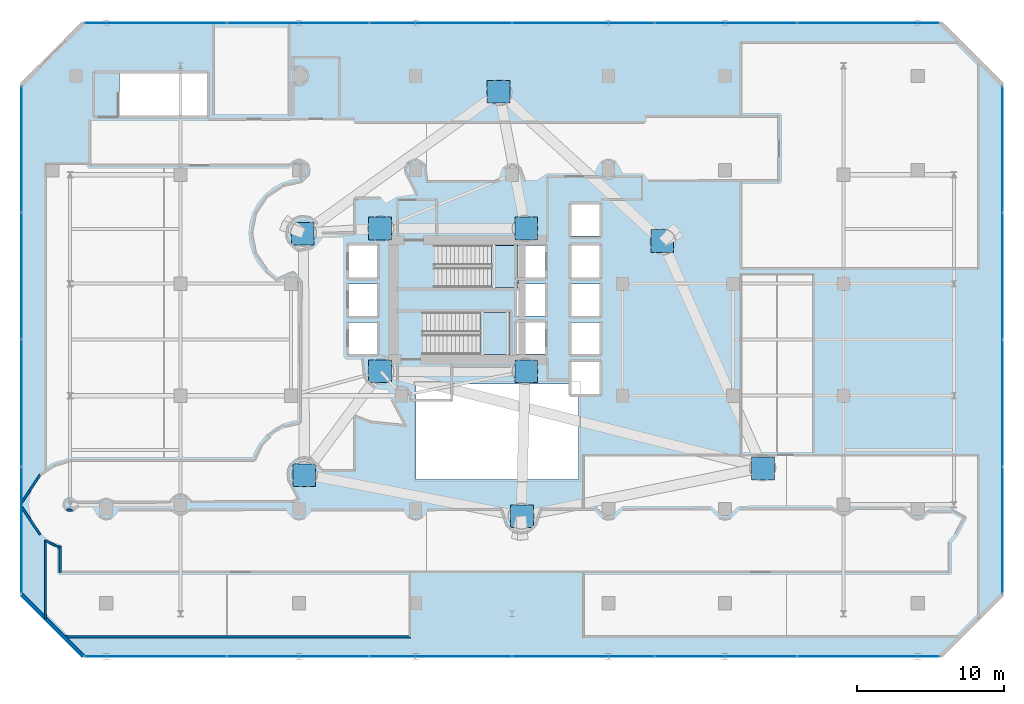
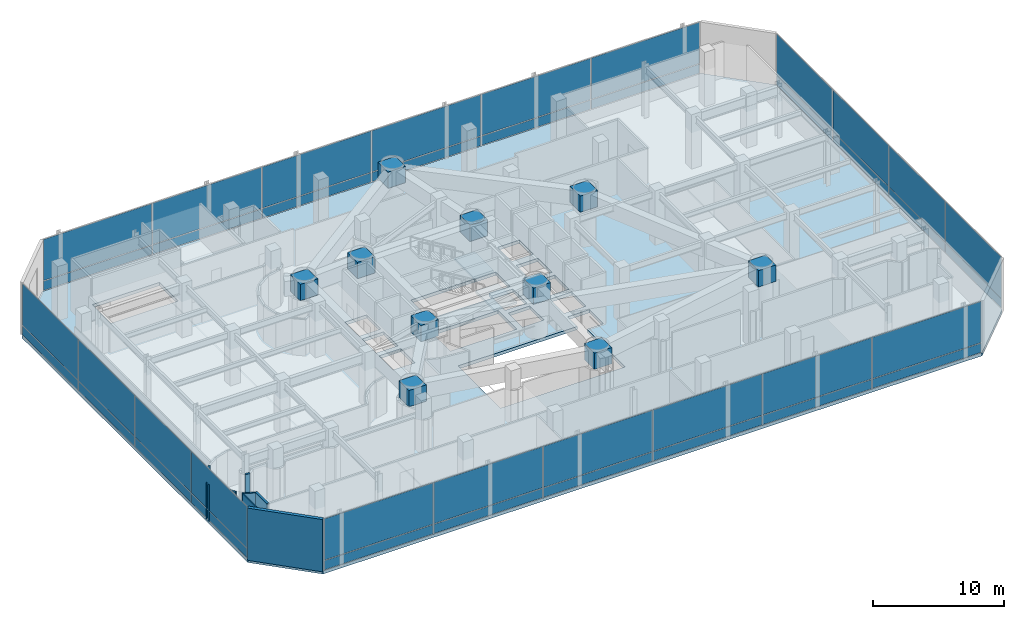
# One storey, part 29 of 40: 50 plates, 8 walls, 3 slabs, 6 elements without a shape of their own.
"""IFC4 building model written with IfcOpenShell, lengths in metres."""

from ifc_helpers import new_model, si_unit, direction, frame, frame_2d, origin, origin_2d, place, context, subcontext, project, spatial, polyline, rectangle, outline, extrude, material, layer, layer_set, type_object, element, aggregate, save


model = new_model("IFC4")

# Units and contexts
model_context = context("Model", 3, precision=1e-05, world=origin(), true_north=direction((0.0, 1.0)))
body_context = subcontext(model_context, "Body", "Model", "MODEL_VIEW")
ifc_project = project(units=[si_unit("LENGTHUNIT", "METRE"), si_unit("AREAUNIT", "SQUARE_METRE"), si_unit("VOLUMEUNIT", "CUBIC_METRE"), si_unit("PLANEANGLEUNIT", "RADIAN"), si_unit("MASSUNIT", "GRAM", prefix="KILO")], contexts=[model_context])

# Site, building, storey
site_placement = place(None, origin())
site = spatial("IfcSite", under=ifc_project, at=site_placement, CompositionType="ELEMENT")
building_placement = place(site_placement, origin())
building = spatial("IfcBuilding", under=site, at=building_placement, Name="Qianvela Tower", CompositionType="ELEMENT")
storey_placement = place(building_placement, frame((0.0, 0.0, 20.60009765625)))
storey = spatial("IfcBuildingStorey", under=building, at=storey_placement, Name="L04", CompositionType="ELEMENT", Elevation=20.60009765625)

# Curtain wall, plates
ifc_material_1 = material(Name="Anodised Architectural Aluminium and Low-E Glass", Category="aluminium")
ifc_layer_1 = layer(ifc_material_1, 0.179931640625)
ifc_layer_set_1 = layer_set([ifc_layer_1], Name="Anodised Architectural Aluminium and Low-E Glass")
curtain_wall_type = type_object("IfcCurtainWallType", Name="CW-COMMONS", PredefinedType="USERDEFINED", material=ifc_layer_set_1)
curtain_wall_1_placement = place(storey_placement, origin())
curtain_wall_1 = element("IfcCurtainWall", 1, at=curtain_wall_1_placement, inside=storey, type_object=curtain_wall_type, Name="L04 CW-COMMONS Curtain Wall 01", ObjectType="CURTAIN_WALL_SYSTEM", PredefinedType="USERDEFINED")
ifc_material_2 = material(Name="Double-Silver Low-E Insulated Glass", Category="glass")
ifc_layer_2 = layer(ifc_material_2, 0.031982421875)
ifc_layer_set_2 = layer_set([ifc_layer_2], Name="Double-Silver Low-E Insulated Glass")
plate_type_1 = type_object("IfcPlateType", Name="CW-COMMONS-PNL", PredefinedType="CURTAIN_PANEL", material=ifc_layer_set_2)
plate_1_placement = place(storey_placement, frame((13.30908203125, 4.5, 0.06005859375), z_axis=(0.0, 0.0, 1.0), x_axis=(1.0, 0.0, 0.0)))
plate_1 = element("IfcPlate", 2, at=plate_1_placement, type_object=plate_type_1, Name="CW-2 panel 1.1", PredefinedType="CURTAIN_PANEL", context=body_context, shape_type="SweptSolid", body=[
    extrude(rectangle(XDim=9.578369140625, YDim=0.031982421875, at=origin_2d()), origin(), (0.0, 0.0, 1.0), 0.860107421875),
])
plate_2_placement = place(storey_placement, frame((13.30908203125, 4.5, 0.97998046875), z_axis=(0.0, 0.0, 1.0), x_axis=(1.0, 0.0, 0.0)))
plate_2 = element("IfcPlate", 3, at=plate_2_placement, type_object=plate_type_1, Name="CW-2 panel 1.2", PredefinedType="CURTAIN_PANEL", context=body_context, shape_type="SweptSolid", body=[
    extrude(rectangle(XDim=9.578369140625, YDim=0.031982421875, at=origin_2d()), origin(), (0.0, 0.0, 1.0), 3.840087890625),
])
plate_3_placement = place(storey_placement, frame((22.97509765625, 4.5, 0.06005859375), z_axis=(0.0, 0.0, 1.0), x_axis=(1.0, 0.0, 0.0)))
plate_3 = element("IfcPlate", 4, at=plate_3_placement, type_object=plate_type_1, Name="CW-2 panel 2.1", PredefinedType="CURTAIN_PANEL", context=body_context, shape_type="SweptSolid", body=[
    extrude(rectangle(XDim=9.61328125, YDim=0.031982421875, at=origin_2d()), origin(), (0.0, 0.0, 1.0), 0.860107421875),
])
plate_4_placement = place(storey_placement, frame((22.97509765625, 4.5, 0.97998046875), z_axis=(0.0, 0.0, 1.0), x_axis=(1.0, 0.0, 0.0)))
plate_4 = element("IfcPlate", 5, at=plate_4_placement, type_object=plate_type_1, Name="CW-2 panel 2.2", PredefinedType="CURTAIN_PANEL", context=body_context, shape_type="SweptSolid", body=[
    extrude(rectangle(XDim=9.61328125, YDim=0.031982421875, at=origin_2d()), origin(), (0.0, 0.0, 1.0), 3.840087890625),
])
plate_5_placement = place(storey_placement, frame((32.658447265625, 4.5, 0.06005859375), z_axis=(0.0, 0.0, 1.0), x_axis=(1.0, 0.0, 0.0)))
plate_5 = element("IfcPlate", 6, at=plate_5_placement, type_object=plate_type_1, Name="CW-2 panel 3.1", PredefinedType="CURTAIN_PANEL", context=body_context, shape_type="SweptSolid", body=[
    extrude(rectangle(XDim=9.61328125, YDim=0.031982421875, at=origin_2d()), origin(), (0.0, 0.0, 1.0), 0.860107421875),
])
plate_6_placement = place(storey_placement, frame((32.658447265625, 4.5, 0.97998046875), z_axis=(0.0, 0.0, 1.0), x_axis=(1.0, 0.0, 0.0)))
plate_6 = element("IfcPlate", 7, at=plate_6_placement, type_object=plate_type_1, Name="CW-2 panel 3.2", PredefinedType="CURTAIN_PANEL", context=body_context, shape_type="SweptSolid", body=[
    extrude(rectangle(XDim=9.61328125, YDim=0.031982421875, at=origin_2d()), origin(), (0.0, 0.0, 1.0), 3.840087890625),
])
plate_7_placement = place(storey_placement, frame((42.341552734375, 4.5, 0.06005859375), z_axis=(0.0, 0.0, 1.0), x_axis=(1.0, 0.0, 0.0)))
plate_7 = element("IfcPlate", 8, at=plate_7_placement, type_object=plate_type_1, Name="CW-2 panel 4.1", PredefinedType="CURTAIN_PANEL", context=body_context, shape_type="SweptSolid", body=[
    extrude(rectangle(XDim=9.61328125, YDim=0.031982421875, at=origin_2d()), origin(), (0.0, 0.0, 1.0), 0.860107421875),
])
plate_8_placement = place(storey_placement, frame((42.341552734375, 4.5, 0.97998046875), z_axis=(0.0, 0.0, 1.0), x_axis=(1.0, 0.0, 0.0)))
plate_8 = element("IfcPlate", 9, at=plate_8_placement, type_object=plate_type_1, Name="CW-2 panel 4.2", PredefinedType="CURTAIN_PANEL", context=body_context, shape_type="SweptSolid", body=[
    extrude(rectangle(XDim=9.61328125, YDim=0.031982421875, at=origin_2d()), origin(), (0.0, 0.0, 1.0), 3.840087890625),
])
plate_9_placement = place(storey_placement, frame((52.02490234375, 4.5, 0.06005859375), z_axis=(0.0, 0.0, 1.0), x_axis=(1.0, 0.0, 0.0)))
plate_9 = element("IfcPlate", 10, at=plate_9_placement, type_object=plate_type_1, Name="CW-2 panel 5.1", PredefinedType="CURTAIN_PANEL", context=body_context, shape_type="SweptSolid", body=[
    extrude(rectangle(XDim=9.61328125, YDim=0.031982421875, at=origin_2d()), origin(), (0.0, 0.0, 1.0), 0.860107421875),
])
plate_10_placement = place(storey_placement, frame((52.02490234375, 4.5, 0.97998046875), z_axis=(0.0, 0.0, 1.0), x_axis=(1.0, 0.0, 0.0)))
plate_10 = element("IfcPlate", 11, at=plate_10_placement, type_object=plate_type_1, Name="CW-2 panel 5.2", PredefinedType="CURTAIN_PANEL", context=body_context, shape_type="SweptSolid", body=[
    extrude(rectangle(XDim=9.61328125, YDim=0.031982421875, at=origin_2d()), origin(), (0.0, 0.0, 1.0), 3.840087890625),
])
plate_11_placement = place(storey_placement, frame((61.69091796875, 4.5, 0.06005859375), z_axis=(0.0, 0.0, 1.0), x_axis=(1.0, 0.0, 0.0)))
plate_11 = element("IfcPlate", 12, at=plate_11_placement, type_object=plate_type_1, Name="CW-2 panel 6.1", PredefinedType="CURTAIN_PANEL", context=body_context, shape_type="SweptSolid", body=[
    extrude(rectangle(XDim=9.578369140625, YDim=0.031982421875, at=origin_2d()), origin(), (0.0, 0.0, 1.0), 0.860107421875),
])
plate_12_placement = place(storey_placement, frame((61.69091796875, 4.5, 0.97998046875), z_axis=(0.0, 0.0, 1.0), x_axis=(1.0, 0.0, 0.0)))
plate_12 = element("IfcPlate", 13, at=plate_12_placement, type_object=plate_type_1, Name="CW-2 panel 6.2", PredefinedType="CURTAIN_PANEL", context=body_context, shape_type="SweptSolid", body=[
    extrude(rectangle(XDim=9.578369140625, YDim=0.031982421875, at=origin_2d()), origin(), (0.0, 0.0, 1.0), 3.840087890625),
])
aggregate(curtain_wall_1, [plate_1, plate_2, plate_3, plate_4, plate_5, plate_6, plate_7, plate_8, plate_9, plate_10, plate_11, plate_12])

curtain_wall_2_placement = place(storey_placement, origin())
curtain_wall_2 = element("IfcCurtainWall", 14, at=curtain_wall_2_placement, inside=storey, type_object=curtain_wall_type, Name="L04 CW-COMMONS Curtain Wall 03", ObjectType="CURTAIN_WALL_SYSTEM", PredefinedType="USERDEFINED")
plate_13_placement = place(storey_placement, frame((70.800048828125, 13.080078125, 0.06005859375), z_axis=(0.0, 0.0, 1.0), x_axis=(0.0, 1.0, 0.0)))
plate_13 = element("IfcPlate", 15, at=plate_13_placement, type_object=plate_type_1, Name="CW-2 panel 1.1", PredefinedType="CURTAIN_PANEL", context=body_context, shape_type="SweptSolid", body=[
    extrude(rectangle(XDim=8.52001953125, YDim=0.031982421875, at=origin_2d()), origin(), (0.0, 0.0, 1.0), 0.860107421875),
])
plate_14_placement = place(storey_placement, frame((70.800048828125, 13.080078125, 0.97998046875), z_axis=(0.0, 0.0, 1.0), x_axis=(0.0, 1.0, 0.0)))
plate_14 = element("IfcPlate", 16, at=plate_14_placement, type_object=plate_type_1, Name="CW-2 panel 1.2", PredefinedType="CURTAIN_PANEL", context=body_context, shape_type="SweptSolid", body=[
    extrude(rectangle(XDim=8.52001953125, YDim=0.031982421875, at=origin_2d()), origin(), (0.0, 0.0, 1.0), 3.840087890625),
])
plate_15_placement = place(storey_placement, frame((70.800048828125, 21.6875, 0.06005859375), z_axis=(0.0, 0.0, 1.0), x_axis=(0.0, 1.0, 0.0)))
plate_15 = element("IfcPlate", 17, at=plate_15_placement, type_object=plate_type_1, Name="CW-2 panel 2.1", PredefinedType="CURTAIN_PANEL", context=body_context, shape_type="SweptSolid", body=[
    extrude(rectangle(XDim=8.554931640625, YDim=0.031982421875, at=origin_2d()), origin(), (0.0, 0.0, 1.0), 0.860107421875),
])
plate_16_placement = place(storey_placement, frame((70.800048828125, 21.6875, 0.97998046875), z_axis=(0.0, 0.0, 1.0), x_axis=(0.0, 1.0, 0.0)))
plate_16 = element("IfcPlate", 18, at=plate_16_placement, type_object=plate_type_1, Name="CW-2 panel 2.2", PredefinedType="CURTAIN_PANEL", context=body_context, shape_type="SweptSolid", body=[
    extrude(rectangle(XDim=8.554931640625, YDim=0.031982421875, at=origin_2d()), origin(), (0.0, 0.0, 1.0), 3.840087890625),
])
plate_17_placement = place(storey_placement, frame((70.800048828125, 30.3125, 0.06005859375), z_axis=(0.0, 0.0, 1.0), x_axis=(0.0, 1.0, 0.0)))
plate_17 = element("IfcPlate", 19, at=plate_17_placement, type_object=plate_type_1, Name="CW-2 panel 3.1", PredefinedType="CURTAIN_PANEL", context=body_context, shape_type="SweptSolid", body=[
    extrude(rectangle(XDim=8.554931640625, YDim=0.031982421875, at=origin_2d()), origin(), (0.0, 0.0, 1.0), 0.860107421875),
])
plate_18_placement = place(storey_placement, frame((70.800048828125, 30.3125, 0.97998046875), z_axis=(0.0, 0.0, 1.0), x_axis=(0.0, 1.0, 0.0)))
plate_18 = element("IfcPlate", 20, at=plate_18_placement, type_object=plate_type_1, Name="CW-2 panel 3.2", PredefinedType="CURTAIN_PANEL", context=body_context, shape_type="SweptSolid", body=[
    extrude(rectangle(XDim=8.554931640625, YDim=0.031982421875, at=origin_2d()), origin(), (0.0, 0.0, 1.0), 3.840087890625),
])
plate_19_placement = place(storey_placement, frame((70.800048828125, 38.919921875, 0.06005859375), z_axis=(0.0, 0.0, 1.0), x_axis=(0.0, 1.0, 0.0)))
plate_19 = element("IfcPlate", 21, at=plate_19_placement, type_object=plate_type_1, Name="CW-2 panel 4.1", PredefinedType="CURTAIN_PANEL", context=body_context, shape_type="SweptSolid", body=[
    extrude(rectangle(XDim=8.52001953125, YDim=0.031982421875, at=origin_2d()), origin(), (0.0, 0.0, 1.0), 0.860107421875),
])
plate_20_placement = place(storey_placement, frame((70.800048828125, 38.919921875, 0.97998046875), z_axis=(0.0, 0.0, 1.0), x_axis=(0.0, 1.0, 0.0)))
plate_20 = element("IfcPlate", 22, at=plate_20_placement, type_object=plate_type_1, Name="CW-2 panel 4.2", PredefinedType="CURTAIN_PANEL", context=body_context, shape_type="SweptSolid", body=[
    extrude(rectangle(XDim=8.52001953125, YDim=0.031982421875, at=origin_2d()), origin(), (0.0, 0.0, 1.0), 3.840087890625),
])
aggregate(curtain_wall_2, [plate_13, plate_14, plate_15, plate_16, plate_17, plate_18, plate_19, plate_20])

curtain_wall_3_placement = place(storey_placement, origin())
curtain_wall_3 = element("IfcCurtainWall", 23, at=curtain_wall_3_placement, inside=storey, type_object=curtain_wall_type, Name="L04 CW-COMMONS Curtain Wall 05", ObjectType="CURTAIN_WALL_SYSTEM", PredefinedType="USERDEFINED")
plate_21_placement = place(storey_placement, frame((61.69091796875, 47.5, 0.06005859375), z_axis=(0.0, 0.0, 1.0), x_axis=(-1.0, 0.0, 0.0)))
plate_21 = element("IfcPlate", 24, at=plate_21_placement, type_object=plate_type_1, Name="CW-2 panel 1.1", PredefinedType="CURTAIN_PANEL", context=body_context, shape_type="SweptSolid", body=[
    extrude(rectangle(XDim=9.578369140625, YDim=0.031982421875, at=origin_2d()), origin(), (0.0, 0.0, 1.0), 0.860107421875),
])
plate_22_placement = place(storey_placement, frame((61.69091796875, 47.5, 0.97998046875), z_axis=(0.0, 0.0, 1.0), x_axis=(-1.0, 0.0, 0.0)))
plate_22 = element("IfcPlate", 25, at=plate_22_placement, type_object=plate_type_1, Name="CW-2 panel 1.2", PredefinedType="CURTAIN_PANEL", context=body_context, shape_type="SweptSolid", body=[
    extrude(rectangle(XDim=9.578369140625, YDim=0.031982421875, at=origin_2d()), origin(), (0.0, 0.0, 1.0), 3.840087890625),
])
plate_23_placement = place(storey_placement, frame((52.02490234375, 47.5, 0.06005859375), z_axis=(0.0, 0.0, 1.0), x_axis=(-1.0, 0.0, 0.0)))
plate_23 = element("IfcPlate", 26, at=plate_23_placement, type_object=plate_type_1, Name="CW-2 panel 2.1", PredefinedType="CURTAIN_PANEL", context=body_context, shape_type="SweptSolid", body=[
    extrude(rectangle(XDim=9.61328125, YDim=0.031982421875, at=origin_2d()), origin(), (0.0, 0.0, 1.0), 0.860107421875),
])
plate_24_placement = place(storey_placement, frame((52.02490234375, 47.5, 0.97998046875), z_axis=(0.0, 0.0, 1.0), x_axis=(-1.0, 0.0, 0.0)))
plate_24 = element("IfcPlate", 27, at=plate_24_placement, type_object=plate_type_1, Name="CW-2 panel 2.2", PredefinedType="CURTAIN_PANEL", context=body_context, shape_type="SweptSolid", body=[
    extrude(rectangle(XDim=9.61328125, YDim=0.031982421875, at=origin_2d()), origin(), (0.0, 0.0, 1.0), 3.840087890625),
])
plate_25_placement = place(storey_placement, frame((42.341552734375, 47.5, 0.06005859375), z_axis=(0.0, 0.0, 1.0), x_axis=(-1.0, 0.0, 0.0)))
plate_25 = element("IfcPlate", 28, at=plate_25_placement, type_object=plate_type_1, Name="CW-2 panel 3.1", PredefinedType="CURTAIN_PANEL", context=body_context, shape_type="SweptSolid", body=[
    extrude(rectangle(XDim=9.61328125, YDim=0.031982421875, at=origin_2d()), origin(), (0.0, 0.0, 1.0), 0.860107421875),
])
plate_26_placement = place(storey_placement, frame((42.341552734375, 47.5, 0.97998046875), z_axis=(0.0, 0.0, 1.0), x_axis=(-1.0, 0.0, 0.0)))
plate_26 = element("IfcPlate", 29, at=plate_26_placement, type_object=plate_type_1, Name="CW-2 panel 3.2", PredefinedType="CURTAIN_PANEL", context=body_context, shape_type="SweptSolid", body=[
    extrude(rectangle(XDim=9.61328125, YDim=0.031982421875, at=origin_2d()), origin(), (0.0, 0.0, 1.0), 3.840087890625),
])
plate_27_placement = place(storey_placement, frame((32.658447265625, 47.5, 0.06005859375), z_axis=(0.0, 0.0, 1.0), x_axis=(-1.0, 0.0, 0.0)))
plate_27 = element("IfcPlate", 30, at=plate_27_placement, type_object=plate_type_1, Name="CW-2 panel 4.1", PredefinedType="CURTAIN_PANEL", context=body_context, shape_type="SweptSolid", body=[
    extrude(rectangle(XDim=9.61328125, YDim=0.031982421875, at=origin_2d()), origin(), (0.0, 0.0, 1.0), 0.860107421875),
])
plate_28_placement = place(storey_placement, frame((32.658447265625, 47.5, 0.97998046875), z_axis=(0.0, 0.0, 1.0), x_axis=(-1.0, 0.0, 0.0)))
plate_28 = element("IfcPlate", 31, at=plate_28_placement, type_object=plate_type_1, Name="CW-2 panel 4.2", PredefinedType="CURTAIN_PANEL", context=body_context, shape_type="SweptSolid", body=[
    extrude(rectangle(XDim=9.61328125, YDim=0.031982421875, at=origin_2d()), origin(), (0.0, 0.0, 1.0), 3.840087890625),
])
plate_29_placement = place(storey_placement, frame((22.97509765625, 47.5, 0.06005859375), z_axis=(0.0, 0.0, 1.0), x_axis=(-1.0, 0.0, 0.0)))
plate_29 = element("IfcPlate", 32, at=plate_29_placement, type_object=plate_type_1, Name="CW-2 panel 5.1", PredefinedType="CURTAIN_PANEL", context=body_context, shape_type="SweptSolid", body=[
    extrude(rectangle(XDim=9.61328125, YDim=0.031982421875, at=origin_2d()), origin(), (0.0, 0.0, 1.0), 0.860107421875),
])
plate_30_placement = place(storey_placement, frame((22.97509765625, 47.5, 0.97998046875), z_axis=(0.0, 0.0, 1.0), x_axis=(-1.0, 0.0, 0.0)))
plate_30 = element("IfcPlate", 33, at=plate_30_placement, type_object=plate_type_1, Name="CW-2 panel 5.2", PredefinedType="CURTAIN_PANEL", context=body_context, shape_type="SweptSolid", body=[
    extrude(rectangle(XDim=9.61328125, YDim=0.031982421875, at=origin_2d()), origin(), (0.0, 0.0, 1.0), 3.840087890625),
])
plate_31_placement = place(storey_placement, frame((13.30908203125, 47.5, 0.06005859375), z_axis=(0.0, 0.0, 1.0), x_axis=(-1.0, 0.0, 0.0)))
plate_31 = element("IfcPlate", 34, at=plate_31_placement, type_object=plate_type_1, Name="CW-2 panel 6.1", PredefinedType="CURTAIN_PANEL", context=body_context, shape_type="SweptSolid", body=[
    extrude(rectangle(XDim=9.578369140625, YDim=0.031982421875, at=origin_2d()), origin(), (0.0, 0.0, 1.0), 0.860107421875),
])
plate_32_placement = place(storey_placement, frame((13.30908203125, 47.5, 0.97998046875), z_axis=(0.0, 0.0, 1.0), x_axis=(-1.0, 0.0, 0.0)))
plate_32 = element("IfcPlate", 35, at=plate_32_placement, type_object=plate_type_1, Name="CW-2 panel 6.2", PredefinedType="CURTAIN_PANEL", context=body_context, shape_type="SweptSolid", body=[
    extrude(rectangle(XDim=9.578369140625, YDim=0.031982421875, at=origin_2d()), origin(), (0.0, 0.0, 1.0), 3.840087890625),
])
aggregate(curtain_wall_3, [plate_21, plate_22, plate_23, plate_24, plate_25, plate_26, plate_27, plate_28, plate_29, plate_30, plate_31, plate_32])

curtain_wall_4_placement = place(storey_placement, origin())
curtain_wall_4 = element("IfcCurtainWall", 36, at=curtain_wall_4_placement, inside=storey, type_object=curtain_wall_type, Name="L04 CW-COMMONS Curtain Wall 07", ObjectType="CURTAIN_WALL_SYSTEM", PredefinedType="USERDEFINED")
plate_33_placement = place(storey_placement, frame((4.199951171875, 38.919921875, 0.06005859375), z_axis=(0.0, 0.0, 1.0), x_axis=(0.0, -1.0, 0.0)))
plate_33 = element("IfcPlate", 37, at=plate_33_placement, type_object=plate_type_1, Name="CW-2 panel 1.1", PredefinedType="CURTAIN_PANEL", context=body_context, shape_type="SweptSolid", body=[
    extrude(rectangle(XDim=8.52001953125, YDim=0.031982421875, at=origin_2d()), origin(), (0.0, 0.0, 1.0), 0.860107421875),
])
plate_34_placement = place(storey_placement, frame((4.199951171875, 38.919921875, 0.97998046875), z_axis=(0.0, 0.0, 1.0), x_axis=(0.0, -1.0, 0.0)))
plate_34 = element("IfcPlate", 38, at=plate_34_placement, type_object=plate_type_1, Name="CW-2 panel 1.2", PredefinedType="CURTAIN_PANEL", context=body_context, shape_type="SweptSolid", body=[
    extrude(rectangle(XDim=8.52001953125, YDim=0.031982421875, at=origin_2d()), origin(), (0.0, 0.0, 1.0), 3.840087890625),
])
plate_35_placement = place(storey_placement, frame((4.199951171875, 30.3125, 0.06005859375), z_axis=(0.0, 0.0, 1.0), x_axis=(0.0, -1.0, 0.0)))
plate_35 = element("IfcPlate", 39, at=plate_35_placement, type_object=plate_type_1, Name="CW-2 panel 2.1", PredefinedType="CURTAIN_PANEL", context=body_context, shape_type="SweptSolid", body=[
    extrude(rectangle(XDim=8.554931640625, YDim=0.031982421875, at=origin_2d()), origin(), (0.0, 0.0, 1.0), 0.860107421875),
])
plate_36_placement = place(storey_placement, frame((4.199951171875, 30.3125, 0.97998046875), z_axis=(0.0, 0.0, 1.0), x_axis=(0.0, -1.0, 0.0)))
plate_36 = element("IfcPlate", 40, at=plate_36_placement, type_object=plate_type_1, Name="CW-2 panel 2.2", PredefinedType="CURTAIN_PANEL", context=body_context, shape_type="SweptSolid", body=[
    extrude(rectangle(XDim=8.554931640625, YDim=0.031982421875, at=origin_2d()), origin(), (0.0, 0.0, 1.0), 3.840087890625),
])
plate_37_placement = place(storey_placement, frame((4.199951171875, 21.6875, 0.06005859375), z_axis=(0.0, 0.0, 1.0), x_axis=(0.0, -1.0, 0.0)))
plate_37 = element("IfcPlate", 41, at=plate_37_placement, type_object=plate_type_1, Name="CW-2 panel 3.1", PredefinedType="CURTAIN_PANEL", context=body_context, shape_type="SweptSolid", body=[
    extrude(rectangle(XDim=8.554931640625, YDim=0.031982421875, at=origin_2d()), origin(), (0.0, 0.0, 1.0), 0.860107421875),
])
plate_38_placement = place(storey_placement, frame((4.199951171875, 21.6875, 0.97998046875), z_axis=(0.0, 0.0, 1.0), x_axis=(0.0, -1.0, 0.0)))
plate_38 = element("IfcPlate", 42, at=plate_38_placement, type_object=plate_type_1, Name="CW-2 panel 3.2", PredefinedType="CURTAIN_PANEL", context=body_context, shape_type="SweptSolid", body=[
    extrude(rectangle(XDim=8.554931640625, YDim=0.031982421875, at=origin_2d()), origin(), (0.0, 0.0, 1.0), 3.840087890625),
])
plate_39_placement = place(storey_placement, frame((4.199951171875, 13.080078125, 0.06005859375), z_axis=(0.0, 0.0, 1.0), x_axis=(0.0, -1.0, 0.0)))
plate_39 = element("IfcPlate", 43, at=plate_39_placement, type_object=plate_type_1, Name="CW-2 panel 4.1", PredefinedType="CURTAIN_PANEL", context=body_context, shape_type="SweptSolid", body=[
    extrude(rectangle(XDim=8.52001953125, YDim=0.031982421875, at=origin_2d()), origin(), (0.0, 0.0, 1.0), 0.860107421875),
])
plate_40_placement = place(storey_placement, frame((4.199951171875, 13.080078125, 0.97998046875), z_axis=(0.0, 0.0, 1.0), x_axis=(0.0, -1.0, 0.0)))
plate_40 = element("IfcPlate", 44, at=plate_40_placement, type_object=plate_type_1, Name="CW-2 panel 4.2", PredefinedType="CURTAIN_PANEL", context=body_context, shape_type="SweptSolid", body=[
    extrude(rectangle(XDim=8.52001953125, YDim=0.031982421875, at=origin_2d()), origin(), (0.0, 0.0, 1.0), 3.840087890625),
])
aggregate(curtain_wall_4, [plate_33, plate_34, plate_35, plate_36, plate_37, plate_38, plate_39, plate_40])

# Plates
ifc_material_3 = material(Name="Steel Q420GJC", Category="steel")
ifc_layer_3 = layer(ifc_material_3, 0.139892578125)
ifc_layer_set_3 = layer_set([ifc_layer_3], Name="Steel Q420GJC")
plate_type_2 = type_object("IfcPlateType", Name="PT-GUSSET-NODE-140", PredefinedType="USERDEFINED", material=ifc_layer_set_3)
for number, where, z_axis, x_axis, name in (
    (45, (28.534912109375, 23.85009765625, 3.337890625), (0.0, 0.0, 1.0), (1.0, 0.0, 0.0), "L04 Node Gusset Plate A"),
    (46, (38.465087890625, 23.85009765625, 3.337890625), (0.0, 0.0, 1.0), (1.0, 0.0, 0.0), "L04 Node Gusset Plate B"),
    (47, (28.534912109375, 33.550048828125, 3.337890625), (0.0, 0.0, 1.0), (1.0, 0.0, 0.0), "L04 Node Gusset Plate A"),
    (48, (38.465087890625, 33.550048828125, 3.337890625), (0.0, 0.0, 1.0), (1.0, 0.0, 0.0), "L04 Node Gusset Plate B"),
    (49, (54.538330078125, 17.257568359375, 3.337890625), (0.0, 0.0, 1.0), (1.0, 0.0, 0.0), "L04 Node Gusset Plate A"),
    (50, (47.709716796875, 32.6962890625, 3.337890625), (0.0, 0.0, 1.0), (1.0, 0.0, 0.0), "L04 Node Gusset Plate B"),
    (51, (36.583984375, 42.82177734375, 3.337890625), (0.0, 0.0, 1.0), (1.0, 0.0, 0.0), "L04 Node Gusset Plate B"),
    (52, (23.28515625, 33.190185546875, 3.337890625), (0.0, 0.0, 1.0), (1.0, 0.0, 0.0), "L04 Node Gusset Plate B"),
    (53, (23.404296875, 16.794921875, 3.337890625), (0.0, 0.0, 1.0), (1.0, 0.0, 0.0), "L04 Node Gusset Plate B"),
    (54, (38.183837890625, 14.003662109375, 3.337890625), (0.0, 0.0, 1.0), (1.0, 0.0, 0.0), "L04 Node Gusset Plate B"),
):
    element("IfcPlate", number, at=place(storey_placement, frame(where, z_axis=z_axis, x_axis=x_axis)), inside=storey, type_object=plate_type_2, Name=name, ObjectType="GUSSET_PLATE", PredefinedType="USERDEFINED", context=body_context, shape_type="SweptSolid", body=[
        extrude(rectangle(XDim=1.5400390625, YDim=1.5400390625, at=origin_2d()), origin(), (0.0, 0.0, 1.0), 1.52001953125),
    ])

# Stair, slab
ifc_material_4 = material(Name="Concrete C40", Category="concrete")
stair_type = type_object("IfcStairType", Name="ST-DOGLEG-1350-R170-N30", PredefinedType="HALF_TURN_STAIR", material=ifc_material_4)
stair_1_placement = place(storey_placement, origin())
stair_1 = element("IfcStair", 55, at=stair_1_placement, inside=storey, type_object=stair_type, Name="L04 Smoke-Proof Core Stair ST-1", PredefinedType="HALF_TURN_STAIR")
ifc_material_5 = material(Name="Concrete C40", Category="concrete")
ifc_layer_4 = layer(ifc_material_5, 0.199951171875)
ifc_layer_set_4 = layer_set([ifc_layer_4], Name="Concrete C40")
slab_type_1 = type_object("IfcSlabType", Name="SL-STAIR-LANDING-200", PredefinedType="LANDING", material=ifc_layer_set_4)
slab_1_placement = place(storey_placement, frame((0.0, 0.0, 2.349853515625)))
slab_1 = element("IfcSlab", 56, at=slab_1_placement, type_object=slab_type_1, Name="ST-1 landing 1", PredefinedType="LANDING", context=body_context, shape_type="SweptSolid", body=[
    extrude(outline(polyline([(36.1201171875, 29.5400390625), (37.89990234375, 29.5400390625), (37.89990234375, 32.39990234375), (36.1201171875, 32.39990234375), (36.1201171875, 29.5400390625)])), origin(), (0.0, 0.0, 1.0), 0.199951171875),
])
aggregate(stair_1, [slab_1])

stair_2_placement = place(storey_placement, origin())
stair_2 = element("IfcStair", 57, at=stair_2_placement, inside=storey, type_object=stair_type, Name="L04 Smoke-Proof Core Stair ST-2", PredefinedType="HALF_TURN_STAIR")
slab_2_placement = place(storey_placement, frame((0.0, 0.0, 2.349853515625)))
slab_2 = element("IfcSlab", 58, at=slab_2_placement, type_object=slab_type_1, Name="ST-2 landing 1", PredefinedType="LANDING", context=body_context, shape_type="SweptSolid", body=[
    extrude(outline(polyline([(35.340087890625, 25.0), (37.35009765625, 25.0), (37.35009765625, 27.860107421875), (35.340087890625, 27.860107421875), (35.340087890625, 25.0)])), origin(), (0.0, 0.0, 1.0), 0.199951171875),
])
aggregate(stair_2, [slab_2])

# Slab
ifc_material_6 = material(Name="Concrete C40", Category="concrete")
ifc_layer_5 = layer(ifc_material_6, 0.300048828125)
ifc_layer_set_5 = layer_set([ifc_layer_5], Name="Concrete C40")
slab_type_2 = type_object("IfcSlabType", Name="SL-TRANS-300", PredefinedType="FLOOR", material=ifc_layer_set_5)
slab_3_placement = place(storey_placement, frame((0.0, 0.0, -0.300048828125)))
element("IfcSlab", 59, at=slab_3_placement, inside=storey, type_object=slab_type_2, Name="L04 Composite Structural Floor Slab", PredefinedType="FLOOR", context=body_context, shape_type="SweptSolid", body=[
    extrude(outline(polyline([(8.39990234375, 4.5), (66.60009765625, 4.5), (70.800048828125, 8.699951171875), (70.800048828125, 43.300048828125), (66.60009765625, 47.5), (8.39990234375, 47.5), (4.199951171875, 43.300048828125), (4.199951171875, 8.699951171875), (8.39990234375, 4.5)]), holes=[polyline([(42.0, 22.320068359375), (43.4599609375, 22.320068359375), (43.4599609375, 24.47998046875), (41.5400390625, 24.47998046875), (41.5400390625, 23.0), (31.0, 23.0), (31.0, 16.5), (42.0, 16.5), (42.0, 22.320068359375)]), polyline([(28.360107421875, 25.02001953125), (28.360107421875, 27.179931640625), (26.43994140625, 27.179931640625), (26.43994140625, 25.02001953125), (28.360107421875, 25.02001953125)]), polyline([(37.35009765625, 25.0), (37.35009765625, 27.860107421875), (31.469970703125, 27.860107421875), (31.469970703125, 25.0), (37.35009765625, 25.0)]), polyline([(28.360107421875, 27.6201171875), (28.360107421875, 29.780029296875), (26.43994140625, 29.780029296875), (26.43994140625, 27.6201171875), (28.360107421875, 27.6201171875)]), polyline([(37.89990234375, 32.3798828125), (37.89990234375, 32.39990234375), (32.25, 32.39990234375), (32.25, 29.5400390625), (37.840087890625, 29.5400390625), (37.840087890625, 27.6201171875), (39.760009765625, 27.6201171875), (39.760009765625, 29.780029296875), (37.89990234375, 29.780029296875), (37.89990234375, 30.219970703125), (39.760009765625, 30.219970703125), (39.760009765625, 32.3798828125), (37.89990234375, 32.3798828125)]), polyline([(28.360107421875, 30.219970703125), (28.360107421875, 32.3798828125), (26.43994140625, 32.3798828125), (26.43994140625, 30.219970703125), (28.360107421875, 30.219970703125)]), polyline([(16.800048828125, 41.199951171875), (16.800048828125, 44.06005859375), (10.8701171875, 44.06005859375), (10.8701171875, 41.199951171875), (16.800048828125, 41.199951171875)]), polyline([(39.760009765625, 25.02001953125), (39.760009765625, 27.179931640625), (37.840087890625, 27.179931640625), (37.840087890625, 25.02001953125), (39.760009765625, 25.02001953125)]), polyline([(43.4599609375, 25.02001953125), (43.4599609375, 27.179931640625), (41.5400390625, 27.179931640625), (41.5400390625, 25.02001953125), (43.4599609375, 25.02001953125)]), polyline([(43.4599609375, 27.6201171875), (43.4599609375, 29.780029296875), (41.5400390625, 29.780029296875), (41.5400390625, 27.6201171875), (43.4599609375, 27.6201171875)]), polyline([(43.4599609375, 30.219970703125), (43.4599609375, 32.3798828125), (41.5400390625, 32.3798828125), (41.5400390625, 30.219970703125), (43.4599609375, 30.219970703125)]), polyline([(43.4599609375, 33.02001953125), (43.4599609375, 35.179931640625), (41.5400390625, 35.179931640625), (41.5400390625, 33.02001953125), (43.4599609375, 33.02001953125)])]), origin(), (0.0, 0.0, 1.0), 0.300048828125),
])

# Walls
ifc_material_7 = material(Name="Terracotta Cladding on Concrete C40", Category="masonry")
ifc_layer_6 = layer(ifc_material_7, 0.280029296875)
ifc_layer_set_6 = layer_set([ifc_layer_6], Name="Terracotta Cladding on Concrete C40")
wall_type_1 = type_object("IfcWallType", Name="TERRACOTTA-WALL-280", PredefinedType="SOLIDWALL", material=ifc_layer_set_6)
wall_1_placement = place(storey_placement, frame((4.199951171875, 8.699951171875, 0.0), z_axis=(0.0, 0.0, 1.0), x_axis=(0.707106781187, -0.707106781187, 0.0)))
element("IfcWall", 60, at=wall_1_placement, inside=storey, type_object=wall_type_1, Name="L04 Terracotta Corner Wall 8", PredefinedType="SOLIDWALL", context=body_context, shape_type="SweptSolid", body=[
    extrude(rectangle(XDim=5.939697265625, YDim=0.280029296875, at=frame_2d((2.9697265625, 0.0))), origin(), (0.0, 0.0, 1.0), 4.8798828125),
])
ifc_material_8 = material(Name="Fire-Rated Gypsum and Concrete Block", Category="concrete")
ifc_layer_7 = layer(ifc_material_8, 0.159912109375)
ifc_layer_set_7 = layer_set([ifc_layer_7], Name="Fire-Rated Gypsum and Concrete Block")
wall_type_2 = type_object("IfcWallType", Name="WT-CORR-160", PredefinedType="PARTITIONING", material=ifc_layer_set_7)
wall_2_placement = place(storey_placement, frame((7.274658203125, 14.4365234375, 0.0), z_axis=(0.0, 0.0, 1.0), x_axis=(0.995208778937, -0.097772625647, 0.0)))
element("IfcWall", 61, at=wall_2_placement, inside=storey, type_object=wall_type_2, Name="L04 Partition 40", PredefinedType="PARTITIONING", context=body_context, shape_type="SweptSolid", body=[
    extrude(rectangle(XDim=0.376953125, YDim=0.159912109375, at=frame_2d((0.1884765625, 0.0))), origin(), (0.0, 0.0, 1.0), 3.39990234375),
])
wall_3_placement = place(storey_placement, frame((6.8310546875, 10.199951171875, 0.0), z_axis=(0.0, 0.0, 1.0), x_axis=(0.0, 1.0, 0.0)))
element("IfcWall", 62, at=wall_3_placement, inside=storey, type_object=wall_type_2, Name="L04 Partition 86", PredefinedType="PARTITIONING", context=body_context, shape_type="SweptSolid", body=[
    extrude(rectangle(XDim=1.79638671875, YDim=0.159912109375, at=frame_2d((0.898193359375, 0.0))), origin(), (0.0, 0.0, 1.0), 3.39990234375),
])
wall_4_placement = place(storey_placement, frame((5.47509765625, 12.7666015625, 0.0), z_axis=(0.0, 0.0, 1.0), x_axis=(-0.555576038047, 0.831465733478, 0.0)))
element("IfcWall", 63, at=wall_4_placement, inside=storey, type_object=wall_type_2, Name="L04 Partition 88", PredefinedType="PARTITIONING", context=body_context, shape_type="SweptSolid", body=[
    extrude(rectangle(XDim=2.31494140625, YDim=0.159912109375, at=frame_2d((1.157470703125, 0.0))), origin(), (0.0, 0.0, 1.0), 3.39990234375),
])
wall_5_placement = place(storey_placement, frame((4.18896484375, 14.908447265625, 0.0), z_axis=(0.0, 0.0, 1.0), x_axis=(0.555527323797, 0.831498281727, 0.0)))
element("IfcWall", 64, at=wall_5_placement, inside=storey, type_object=wall_type_2, Name="L04 Partition 91", PredefinedType="PARTITIONING", context=body_context, shape_type="SweptSolid", body=[
    extrude(rectangle(XDim=2.315185546875, YDim=0.159912109375, at=frame_2d((1.15771484375, 0.0))), origin(), (0.0, 0.0, 1.0), 3.39990234375),
])
ifc_material_9 = material(Name="Lightweight Gypsum Room Partition")
ifc_layer_8 = layer(ifc_material_9, 0.10498046875)
ifc_layer_set_8 = layer_set([ifc_layer_8], Name="Lightweight Gypsum Room Partition")
wall_type_3 = type_object("IfcWallType", Name="WT-PART-105", PredefinedType="PARTITIONING", material=ifc_layer_set_8)
wall_6_placement = place(storey_placement, frame((5.8310546875, 7.049072265625, 0.0), z_axis=(0.0, 0.0, 1.0), x_axis=(0.0, 1.0, 0.0)))
element("IfcWall", 65, at=wall_6_placement, inside=storey, type_object=wall_type_3, Name="L04 Partition 198", PredefinedType="PARTITIONING", context=body_context, shape_type="SweptSolid", body=[
    extrude(rectangle(XDim=5.332275390625, YDim=0.10498046875, at=frame_2d((2.666015625, 0.0))), origin(), (0.0, 0.0, 1.0), 3.39990234375),
])
ifc_material_10 = material(Name="Acoustic Double Gypsum Stud Partition")
ifc_layer_9 = layer(ifc_material_10, 0.139892578125)
ifc_layer_set_9 = layer_set([ifc_layer_9], Name="Acoustic Double Gypsum Stud Partition")
wall_type_4 = type_object("IfcWallType", Name="WT-ROOM-140", PredefinedType="PARTITIONING", material=ifc_layer_set_9)
wall_7_placement = place(storey_placement, frame((30.60009765625, 5.8310546875, 0.0), z_axis=(0.0, 0.0, 1.0), x_axis=(-1.0, 0.0, 0.0)))
element("IfcWall", 66, at=wall_7_placement, inside=storey, type_object=wall_type_4, Name="L04 Partition 196", PredefinedType="PARTITIONING", context=body_context, shape_type="SweptSolid", body=[
    extrude(rectangle(XDim=23.551025390625, YDim=0.139892578125, at=frame_2d((11.775390625, 0.0))), origin(), (0.0, 0.0, 1.0), 3.39990234375),
])
wall_8_placement = place(storey_placement, frame((5.787109375, 12.353271484375, 0.0), z_axis=(0.0, 0.0, 1.0), x_axis=(0.908698668485, -0.417452667849, 0.0)))
element("IfcWall", 67, at=wall_8_placement, inside=storey, type_object=wall_type_4, Name="L04 Partition 199", PredefinedType="PARTITIONING", context=body_context, shape_type="SweptSolid", body=[
    extrude(rectangle(XDim=1.0322265625, YDim=0.139892578125, at=frame_2d((0.51611328125, 0.0))), origin(), (0.0, 0.0, 1.0), 3.39990234375),
])

save(model, "model.ifc")
